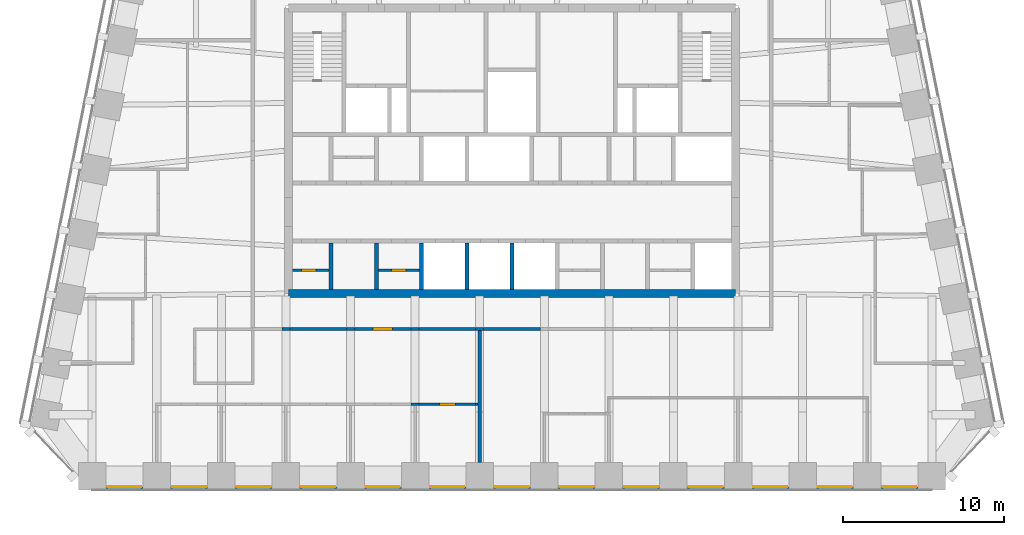
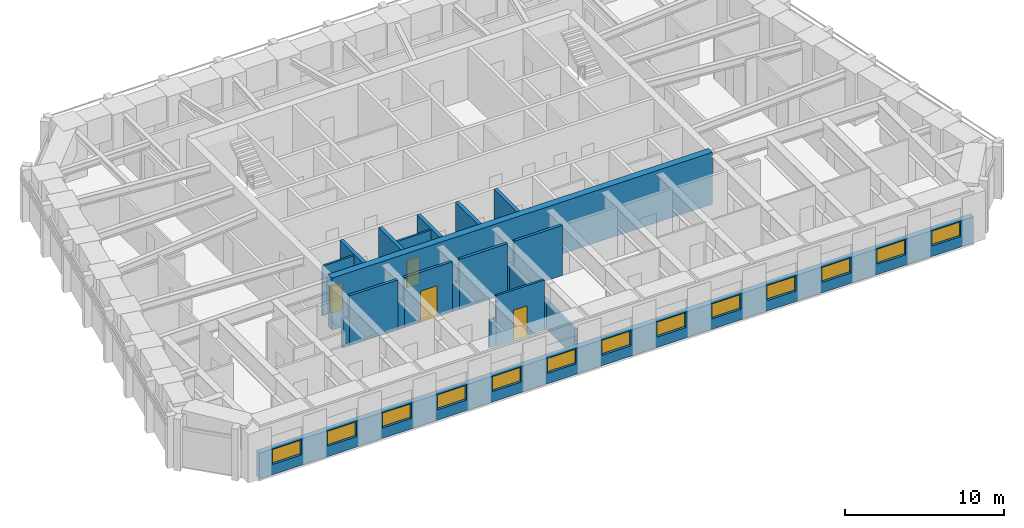
# One storey, part 5 of 12: 21 walls, 13 windows, 4 doors, 17 openings.
"""IFC4 building model written with IfcOpenShell, lengths in metres."""

from ifc_helpers import new_model, si_unit, direction, frame, frame_2d, origin, place, context, subcontext, project, spatial, rectangle, extrude, material, layer, layer_set, type_object, element, fill, save


model = new_model("IFC4")

# Units and contexts
model_context = context("Model", 3, precision=1e-05, world=origin(), true_north=direction((0.0, 1.0)))
body_context = subcontext(model_context, "Body", "Model", "MODEL_VIEW")
ifc_project = project(units=[si_unit("LENGTHUNIT", "METRE"), si_unit("AREAUNIT", "SQUARE_METRE"), si_unit("VOLUMEUNIT", "CUBIC_METRE"), si_unit("PLANEANGLEUNIT", "RADIAN"), si_unit("MASSUNIT", "GRAM", prefix="KILO")], contexts=[model_context])

# Site, building, storey
site_placement = place(None, origin())
site = spatial("IfcSite", under=ifc_project, at=site_placement, CompositionType="ELEMENT")
building_placement = place(site_placement, origin())
building = spatial("IfcBuilding", under=site, at=building_placement, Name="Isbrekke Arena Tower", CompositionType="ELEMENT")
storey_placement = place(building_placement, frame((0.0, 0.0, 292.0)))
storey = spatial("IfcBuildingStorey", under=building, at=storey_placement, Name="L68", CompositionType="ELEMENT", Elevation=292.0)

# Walls
ifc_material_1 = material(Name="Concrete B55 (C55/67)", Category="concrete")
ifc_layer_1 = layer(ifc_material_1, 0.5)
ifc_layer_set_1 = layer_set([ifc_layer_1], Name="CW5 CORE WALL 500")
wall_type_1 = type_object("IfcWallType", Name="CW5 CORE WALL 500", PredefinedType="SHEAR", material=ifc_layer_set_1)
wall_1_placement = place(storey_placement, frame((-13.85009765625, 6.14990234375, 0.0), z_axis=(0.0, 0.0, 1.0), x_axis=(1.0, 0.0, 0.0)))
element("IfcWall", 1, at=wall_1_placement, inside=storey, type_object=wall_type_1, Name="Core wall S L68", PredefinedType="SHEAR", context=body_context, shape_type="SweptSolid", body=[
    extrude(rectangle(XDim=27.7001953125, YDim=0.5, at=frame_2d((13.85009765625, 0.0))), origin(), (0.0, 0.0, 1.0), 4.0),
])
ifc_material_2 = material(Name="Concrete B45 (C45/55)", Category="concrete")
ifc_layer_2 = layer(ifc_material_2, 0.25)
ifc_layer_set_2 = layer_set([ifc_layer_2], Name="CW6 SHAFT WALL 250")
wall_type_2 = type_object("IfcWallType", Name="CW6 SHAFT WALL 250", PredefinedType="SHEAR", material=ifc_layer_set_2)
for number, where, z_axis, x_axis, name in (
    (2, (-11.199951171875, 6.39990234375, 0.0), (0.0, 0.0, 1.0), (0.0, 1.0, 0.0), "Core wall SS01 L68"),
    (3, (-8.39990234375, 6.39990234375, 0.0), (0.0, 0.0, 1.0), (0.0, 1.0, 0.0), "Core wall SS02 L68"),
    (4, (-5.60009765625, 6.39990234375, 0.0), (0.0, 0.0, 1.0), (0.0, 1.0, 0.0), "Core wall SS03 L68"),
    (5, (-2.800048828125, 6.39990234375, 0.0), (0.0, 0.0, 1.0), (0.0, 1.0, 0.0), "Core wall SS04 L68"),
    (6, (0.0, 6.39990234375, 0.0), (0.0, 0.0, 1.0), (0.0, 1.0, 0.0), "Core wall SS05 L68"),
):
    element("IfcWall", number, at=place(storey_placement, frame(where, z_axis=z_axis, x_axis=x_axis)), inside=storey, type_object=wall_type_2, Name=name, PredefinedType="SHEAR", context=body_context, shape_type="SweptSolid", body=[
        extrude(rectangle(XDim=2.875, YDim=0.25, at=frame_2d((1.4375, 0.0))), origin(), (0.0, 0.0, 1.0), 4.0),
    ])

# Wall, openings, windows
ifc_material_3 = material(Name="Copper cladding on insulated framing", Category="metal")
ifc_layer_3 = layer(ifc_material_3, 0.39990234375)
ifc_layer_set_3 = layer_set([ifc_layer_3], Name="EW2 COPPER-CLAD WALL 400")
wall_type_3 = type_object("IfcWallType", Name="EW2 COPPER-CLAD WALL 400", PredefinedType="SOLIDWALL", material=ifc_layer_set_3)
wall_2_placement = place(storey_placement, frame((-26.0, -5.800048828125, 0.0), z_axis=(0.0, 0.0, 1.0), x_axis=(1.0, 0.0, 0.0)))
wall_2 = element("IfcWall", 7, at=wall_2_placement, inside=storey, type_object=wall_type_3, Name="EW2 terrace wall L68", PredefinedType="SOLIDWALL", context=body_context, shape_type="SweptSolid", body=[
    extrude(rectangle(XDim=52.0, YDim=0.39990234375, at=frame_2d((26.0, 0.0))), origin(), (0.0, 0.0, 1.0), 2.0),
])
opening_1_placement = place(wall_2_placement, frame((0.949951171875, 0.0, 0.800048828125)))
opening_1 = element("IfcOpeningElement", 8, at=opening_1_placement, cuts=wall_2, Name="Opening WN1", PredefinedType="OPENING", context=body_context, shape_type="SweptSolid", body=[
    extrude(rectangle(XDim=2.10009765625, YDim=1.14990234375, at=frame_2d((1.050048828125, 0.574951171875))), frame((0.0, 0.21484375, 0.0), z_axis=(0.0, -1.0, 0.0), x_axis=(1.0, 0.0, 0.0)), (0.0, 0.0, 1.0), 0.4296875),
])
opening_2_placement = place(wall_2_placement, frame((4.949951171875, 0.0, 0.800048828125)))
opening_2 = element("IfcOpeningElement", 9, at=opening_2_placement, cuts=wall_2, Name="Opening WN1", PredefinedType="OPENING", context=body_context, shape_type="SweptSolid", body=[
    extrude(rectangle(XDim=2.10009765625, YDim=1.14990234375, at=frame_2d((1.050048828125, 0.574951171875))), frame((0.0, 0.21484375, 0.0), z_axis=(0.0, -1.0, 0.0), x_axis=(1.0, 0.0, 0.0)), (0.0, 0.0, 1.0), 0.4296875),
])
opening_3_placement = place(wall_2_placement, frame((8.949951171875, 0.0, 0.800048828125)))
opening_3 = element("IfcOpeningElement", 10, at=opening_3_placement, cuts=wall_2, Name="Opening WN1", PredefinedType="OPENING", context=body_context, shape_type="SweptSolid", body=[
    extrude(rectangle(XDim=2.10009765625, YDim=1.14990234375, at=frame_2d((1.050048828125, 0.574951171875))), frame((0.0, 0.21484375, 0.0), z_axis=(0.0, -1.0, 0.0), x_axis=(1.0, 0.0, 0.0)), (0.0, 0.0, 1.0), 0.4296875),
])
opening_4_placement = place(wall_2_placement, frame((12.949951171875, 0.0, 0.800048828125)))
opening_4 = element("IfcOpeningElement", 11, at=opening_4_placement, cuts=wall_2, Name="Opening WN1", PredefinedType="OPENING", context=body_context, shape_type="SweptSolid", body=[
    extrude(rectangle(XDim=2.10009765625, YDim=1.14990234375, at=frame_2d((1.050048828125, 0.574951171875))), frame((0.0, 0.21484375, 0.0), z_axis=(0.0, -1.0, 0.0), x_axis=(1.0, 0.0, 0.0)), (0.0, 0.0, 1.0), 0.4296875),
])
opening_5_placement = place(wall_2_placement, frame((16.949951171875, 0.0, 0.800048828125)))
opening_5 = element("IfcOpeningElement", 12, at=opening_5_placement, cuts=wall_2, Name="Opening WN1", PredefinedType="OPENING", context=body_context, shape_type="SweptSolid", body=[
    extrude(rectangle(XDim=2.10009765625, YDim=1.14990234375, at=frame_2d((1.050048828125, 0.574951171875))), frame((0.0, 0.21484375, 0.0), z_axis=(0.0, -1.0, 0.0), x_axis=(1.0, 0.0, 0.0)), (0.0, 0.0, 1.0), 0.4296875),
])
opening_6_placement = place(wall_2_placement, frame((20.949951171875, 0.0, 0.800048828125)))
opening_6 = element("IfcOpeningElement", 13, at=opening_6_placement, cuts=wall_2, Name="Opening WN1", PredefinedType="OPENING", context=body_context, shape_type="SweptSolid", body=[
    extrude(rectangle(XDim=2.10009765625, YDim=1.14990234375, at=frame_2d((1.050048828125, 0.574951171875))), frame((0.0, 0.21484375, 0.0), z_axis=(0.0, -1.0, 0.0), x_axis=(1.0, 0.0, 0.0)), (0.0, 0.0, 1.0), 0.4296875),
])
opening_7_placement = place(wall_2_placement, frame((24.949951171875, 0.0, 0.800048828125)))
opening_7 = element("IfcOpeningElement", 14, at=opening_7_placement, cuts=wall_2, Name="Opening WN1", PredefinedType="OPENING", context=body_context, shape_type="SweptSolid", body=[
    extrude(rectangle(XDim=2.10009765625, YDim=1.14990234375, at=frame_2d((1.050048828125, 0.574951171875))), frame((0.0, 0.21484375, 0.0), z_axis=(0.0, -1.0, 0.0), x_axis=(1.0, 0.0, 0.0)), (0.0, 0.0, 1.0), 0.4296875),
])
opening_8_placement = place(wall_2_placement, frame((28.949951171875, 0.0, 0.800048828125)))
opening_8 = element("IfcOpeningElement", 15, at=opening_8_placement, cuts=wall_2, Name="Opening WN1", PredefinedType="OPENING", context=body_context, shape_type="SweptSolid", body=[
    extrude(rectangle(XDim=2.10009765625, YDim=1.14990234375, at=frame_2d((1.050048828125, 0.574951171875))), frame((0.0, 0.21484375, 0.0), z_axis=(0.0, -1.0, 0.0), x_axis=(1.0, 0.0, 0.0)), (0.0, 0.0, 1.0), 0.4296875),
])
opening_9_placement = place(wall_2_placement, frame((32.949951171875, 0.0, 0.800048828125)))
opening_9 = element("IfcOpeningElement", 16, at=opening_9_placement, cuts=wall_2, Name="Opening WN1", PredefinedType="OPENING", context=body_context, shape_type="SweptSolid", body=[
    extrude(rectangle(XDim=2.10009765625, YDim=1.14990234375, at=frame_2d((1.050048828125, 0.574951171875))), frame((0.0, 0.21484375, 0.0), z_axis=(0.0, -1.0, 0.0), x_axis=(1.0, 0.0, 0.0)), (0.0, 0.0, 1.0), 0.4296875),
])
opening_10_placement = place(wall_2_placement, frame((36.949951171875, 0.0, 0.800048828125)))
opening_10 = element("IfcOpeningElement", 17, at=opening_10_placement, cuts=wall_2, Name="Opening WN1", PredefinedType="OPENING", context=body_context, shape_type="SweptSolid", body=[
    extrude(rectangle(XDim=2.10009765625, YDim=1.14990234375, at=frame_2d((1.050048828125, 0.574951171875))), frame((0.0, 0.21484375, 0.0), z_axis=(0.0, -1.0, 0.0), x_axis=(1.0, 0.0, 0.0)), (0.0, 0.0, 1.0), 0.4296875),
])
opening_11_placement = place(wall_2_placement, frame((40.949951171875, 0.0, 0.800048828125)))
opening_11 = element("IfcOpeningElement", 18, at=opening_11_placement, cuts=wall_2, Name="Opening WN1", PredefinedType="OPENING", context=body_context, shape_type="SweptSolid", body=[
    extrude(rectangle(XDim=2.10009765625, YDim=1.14990234375, at=frame_2d((1.050048828125, 0.574951171875))), frame((0.0, 0.21484375, 0.0), z_axis=(0.0, -1.0, 0.0), x_axis=(1.0, 0.0, 0.0)), (0.0, 0.0, 1.0), 0.4296875),
])
opening_12_placement = place(wall_2_placement, frame((44.949951171875, 0.0, 0.800048828125)))
opening_12 = element("IfcOpeningElement", 19, at=opening_12_placement, cuts=wall_2, Name="Opening WN1", PredefinedType="OPENING", context=body_context, shape_type="SweptSolid", body=[
    extrude(rectangle(XDim=2.10009765625, YDim=1.14990234375, at=frame_2d((1.050048828125, 0.574951171875))), frame((0.0, 0.21484375, 0.0), z_axis=(0.0, -1.0, 0.0), x_axis=(1.0, 0.0, 0.0)), (0.0, 0.0, 1.0), 0.4296875),
])
opening_13_placement = place(wall_2_placement, frame((48.949951171875, 0.0, 0.800048828125)))
opening_13 = element("IfcOpeningElement", 20, at=opening_13_placement, cuts=wall_2, Name="Opening WN1", PredefinedType="OPENING", context=body_context, shape_type="SweptSolid", body=[
    extrude(rectangle(XDim=2.10009765625, YDim=1.14990234375, at=frame_2d((1.050048828125, 0.574951171875))), frame((0.0, 0.21484375, 0.0), z_axis=(0.0, -1.0, 0.0), x_axis=(1.0, 0.0, 0.0)), (0.0, 0.0, 1.0), 0.4296875),
])
ifc_material_4 = material(Name="Timber-aluminium window, triple glazed", Category="wood")
window_type = type_object("IfcWindowType", Name="WN1 TERRACE WINDOW 2100 x 1150", PartitioningType="SINGLE_PANEL", PredefinedType="WINDOW", material=ifc_material_4)
window_1_placement = place(opening_1_placement, origin())
window_1 = element("IfcWindow", 21, at=window_1_placement, inside=storey, type_object=window_type, Name="WN1 terrace window L68-1", OverallHeight=1.14990234375, OverallWidth=2.10009765625, PartitioningType="SINGLE_PANEL", PredefinedType="WINDOW", context=body_context, shape_type="SweptSolid", body=[
    extrude(rectangle(XDim=2.10009765625, YDim=1.14990234375, at=frame_2d((1.050048828125, 0.574951171875))), frame((0.0, 0.030029296875, 0.0), z_axis=(0.0, -1.0, 0.0), x_axis=(1.0, 0.0, 0.0)), (0.0, 0.0, 1.0), 0.06005859375),
])
fill(opening_1, window_1)
window_2_placement = place(opening_2_placement, origin())
window_2 = element("IfcWindow", 22, at=window_2_placement, inside=storey, type_object=window_type, Name="WN1 terrace window L68-2", OverallHeight=1.14990234375, OverallWidth=2.10009765625, PartitioningType="SINGLE_PANEL", PredefinedType="WINDOW", context=body_context, shape_type="SweptSolid", body=[
    extrude(rectangle(XDim=2.10009765625, YDim=1.14990234375, at=frame_2d((1.050048828125, 0.574951171875))), frame((0.0, 0.030029296875, 0.0), z_axis=(0.0, -1.0, 0.0), x_axis=(1.0, 0.0, 0.0)), (0.0, 0.0, 1.0), 0.06005859375),
])
fill(opening_2, window_2)
window_3_placement = place(opening_3_placement, origin())
window_3 = element("IfcWindow", 23, at=window_3_placement, inside=storey, type_object=window_type, Name="WN1 terrace window L68-3", OverallHeight=1.14990234375, OverallWidth=2.10009765625, PartitioningType="SINGLE_PANEL", PredefinedType="WINDOW", context=body_context, shape_type="SweptSolid", body=[
    extrude(rectangle(XDim=2.10009765625, YDim=1.14990234375, at=frame_2d((1.050048828125, 0.574951171875))), frame((0.0, 0.030029296875, 0.0), z_axis=(0.0, -1.0, 0.0), x_axis=(1.0, 0.0, 0.0)), (0.0, 0.0, 1.0), 0.06005859375),
])
fill(opening_3, window_3)
window_4_placement = place(opening_4_placement, origin())
window_4 = element("IfcWindow", 24, at=window_4_placement, inside=storey, type_object=window_type, Name="WN1 terrace window L68-4", OverallHeight=1.14990234375, OverallWidth=2.10009765625, PartitioningType="SINGLE_PANEL", PredefinedType="WINDOW", context=body_context, shape_type="SweptSolid", body=[
    extrude(rectangle(XDim=2.10009765625, YDim=1.14990234375, at=frame_2d((1.050048828125, 0.574951171875))), frame((0.0, 0.030029296875, 0.0), z_axis=(0.0, -1.0, 0.0), x_axis=(1.0, 0.0, 0.0)), (0.0, 0.0, 1.0), 0.06005859375),
])
fill(opening_4, window_4)
window_5_placement = place(opening_5_placement, origin())
window_5 = element("IfcWindow", 25, at=window_5_placement, inside=storey, type_object=window_type, Name="WN1 terrace window L68-5", OverallHeight=1.14990234375, OverallWidth=2.10009765625, PartitioningType="SINGLE_PANEL", PredefinedType="WINDOW", context=body_context, shape_type="SweptSolid", body=[
    extrude(rectangle(XDim=2.10009765625, YDim=1.14990234375, at=frame_2d((1.050048828125, 0.574951171875))), frame((0.0, 0.030029296875, 0.0), z_axis=(0.0, -1.0, 0.0), x_axis=(1.0, 0.0, 0.0)), (0.0, 0.0, 1.0), 0.06005859375),
])
fill(opening_5, window_5)
window_6_placement = place(opening_6_placement, origin())
window_6 = element("IfcWindow", 26, at=window_6_placement, inside=storey, type_object=window_type, Name="WN1 terrace window L68-6", OverallHeight=1.14990234375, OverallWidth=2.10009765625, PartitioningType="SINGLE_PANEL", PredefinedType="WINDOW", context=body_context, shape_type="SweptSolid", body=[
    extrude(rectangle(XDim=2.10009765625, YDim=1.14990234375, at=frame_2d((1.050048828125, 0.574951171875))), frame((0.0, 0.030029296875, 0.0), z_axis=(0.0, -1.0, 0.0), x_axis=(1.0, 0.0, 0.0)), (0.0, 0.0, 1.0), 0.06005859375),
])
fill(opening_6, window_6)
window_7_placement = place(opening_7_placement, origin())
window_7 = element("IfcWindow", 27, at=window_7_placement, inside=storey, type_object=window_type, Name="WN1 terrace window L68-7", OverallHeight=1.14990234375, OverallWidth=2.10009765625, PartitioningType="SINGLE_PANEL", PredefinedType="WINDOW", context=body_context, shape_type="SweptSolid", body=[
    extrude(rectangle(XDim=2.10009765625, YDim=1.14990234375, at=frame_2d((1.050048828125, 0.574951171875))), frame((0.0, 0.030029296875, 0.0), z_axis=(0.0, -1.0, 0.0), x_axis=(1.0, 0.0, 0.0)), (0.0, 0.0, 1.0), 0.06005859375),
])
fill(opening_7, window_7)
window_8_placement = place(opening_8_placement, origin())
window_8 = element("IfcWindow", 28, at=window_8_placement, inside=storey, type_object=window_type, Name="WN1 terrace window L68-8", OverallHeight=1.14990234375, OverallWidth=2.10009765625, PartitioningType="SINGLE_PANEL", PredefinedType="WINDOW", context=body_context, shape_type="SweptSolid", body=[
    extrude(rectangle(XDim=2.10009765625, YDim=1.14990234375, at=frame_2d((1.050048828125, 0.574951171875))), frame((0.0, 0.030029296875, 0.0), z_axis=(0.0, -1.0, 0.0), x_axis=(1.0, 0.0, 0.0)), (0.0, 0.0, 1.0), 0.06005859375),
])
fill(opening_8, window_8)
window_9_placement = place(opening_9_placement, origin())
window_9 = element("IfcWindow", 29, at=window_9_placement, inside=storey, type_object=window_type, Name="WN1 terrace window L68-9", OverallHeight=1.14990234375, OverallWidth=2.10009765625, PartitioningType="SINGLE_PANEL", PredefinedType="WINDOW", context=body_context, shape_type="SweptSolid", body=[
    extrude(rectangle(XDim=2.10009765625, YDim=1.14990234375, at=frame_2d((1.050048828125, 0.574951171875))), frame((0.0, 0.030029296875, 0.0), z_axis=(0.0, -1.0, 0.0), x_axis=(1.0, 0.0, 0.0)), (0.0, 0.0, 1.0), 0.06005859375),
])
fill(opening_9, window_9)
window_10_placement = place(opening_10_placement, origin())
window_10 = element("IfcWindow", 30, at=window_10_placement, inside=storey, type_object=window_type, Name="WN1 terrace window L68-10", OverallHeight=1.14990234375, OverallWidth=2.10009765625, PartitioningType="SINGLE_PANEL", PredefinedType="WINDOW", context=body_context, shape_type="SweptSolid", body=[
    extrude(rectangle(XDim=2.10009765625, YDim=1.14990234375, at=frame_2d((1.050048828125, 0.574951171875))), frame((0.0, 0.030029296875, 0.0), z_axis=(0.0, -1.0, 0.0), x_axis=(1.0, 0.0, 0.0)), (0.0, 0.0, 1.0), 0.06005859375),
])
fill(opening_10, window_10)
window_11_placement = place(opening_11_placement, origin())
window_11 = element("IfcWindow", 31, at=window_11_placement, inside=storey, type_object=window_type, Name="WN1 terrace window L68-11", OverallHeight=1.14990234375, OverallWidth=2.10009765625, PartitioningType="SINGLE_PANEL", PredefinedType="WINDOW", context=body_context, shape_type="SweptSolid", body=[
    extrude(rectangle(XDim=2.10009765625, YDim=1.14990234375, at=frame_2d((1.050048828125, 0.574951171875))), frame((0.0, 0.030029296875, 0.0), z_axis=(0.0, -1.0, 0.0), x_axis=(1.0, 0.0, 0.0)), (0.0, 0.0, 1.0), 0.06005859375),
])
fill(opening_11, window_11)
window_12_placement = place(opening_12_placement, origin())
window_12 = element("IfcWindow", 32, at=window_12_placement, inside=storey, type_object=window_type, Name="WN1 terrace window L68-12", OverallHeight=1.14990234375, OverallWidth=2.10009765625, PartitioningType="SINGLE_PANEL", PredefinedType="WINDOW", context=body_context, shape_type="SweptSolid", body=[
    extrude(rectangle(XDim=2.10009765625, YDim=1.14990234375, at=frame_2d((1.050048828125, 0.574951171875))), frame((0.0, 0.030029296875, 0.0), z_axis=(0.0, -1.0, 0.0), x_axis=(1.0, 0.0, 0.0)), (0.0, 0.0, 1.0), 0.06005859375),
])
fill(opening_12, window_12)
window_13_placement = place(opening_13_placement, origin())
window_13 = element("IfcWindow", 33, at=window_13_placement, inside=storey, type_object=window_type, Name="WN1 terrace window L68-13", OverallHeight=1.14990234375, OverallWidth=2.10009765625, PartitioningType="SINGLE_PANEL", PredefinedType="WINDOW", context=body_context, shape_type="SweptSolid", body=[
    extrude(rectangle(XDim=2.10009765625, YDim=1.14990234375, at=frame_2d((1.050048828125, 0.574951171875))), frame((0.0, 0.030029296875, 0.0), z_axis=(0.0, -1.0, 0.0), x_axis=(1.0, 0.0, 0.0)), (0.0, 0.0, 1.0), 0.06005859375),
])
fill(opening_13, window_13)

# Wall
ifc_material_5 = material(Name="Gypsum board partition on steel studs", Category="steel")
ifc_layer_4 = layer(ifc_material_5, 0.14990234375)
ifc_layer_set_4 = layer_set([ifc_layer_4], Name="IW1 PARTITION 150")
wall_type_4 = type_object("IfcWallType", Name="IW1 PARTITION 150", PredefinedType="PARTITIONING", material=ifc_layer_set_4)
wall_3_placement = place(storey_placement, frame((-6.25, -0.699951171875, 0.0), z_axis=(0.0, 0.0, 1.0), x_axis=(1.0, 0.0, 0.0)))
element("IfcWall", 34, at=wall_3_placement, inside=storey, type_object=wall_type_4, Name="IW1 partition 150 L68", PredefinedType="PARTITIONING", context=body_context, shape_type="SweptSolid", body=[
    extrude(rectangle(XDim=0.5, YDim=0.14990234375, at=frame_2d((0.25, 0.0))), origin(), (0.0, 0.0, 1.0), 2.14990234375),
])

# Wall, opening, door
wall_4_placement = place(storey_placement, frame((-5.75, -0.699951171875, 0.0), z_axis=(0.0, 0.0, 1.0), x_axis=(1.0, 0.0, 0.0)))
wall_4 = element("IfcWall", 35, at=wall_4_placement, inside=storey, type_object=wall_type_4, Name="IW1 partition 150 L68", PredefinedType="PARTITIONING", context=body_context, shape_type="SweptSolid", body=[
    extrude(rectangle(XDim=3.5, YDim=0.14990234375, at=frame_2d((1.75, 0.0))), origin(), (0.0, 0.0, 1.0), 3.85009765625),
])
opening_14_placement = place(wall_4_placement, frame((1.25, 0.0, 0.0)))
opening_14 = element("IfcOpeningElement", 36, at=opening_14_placement, cuts=wall_4, Name="Opening D10", PredefinedType="OPENING", context=body_context, shape_type="SweptSolid", body=[
    extrude(rectangle(XDim=1.0, YDim=2.300048828125, at=frame_2d((0.5, 1.14990234375))), frame((0.0, 0.08984375, 0.0), z_axis=(0.0, -1.0, 0.0), x_axis=(1.0, 0.0, 0.0)), (0.0, 0.0, 1.0), 0.1796875),
])
ifc_material_6 = material(Name="Timber door", Category="wood")
door_type_1 = type_object("IfcDoorType", Name="D10 OFFICE DOOR 1000 x 2300", OperationType="SINGLE_SWING_LEFT", PredefinedType="DOOR", material=ifc_material_6)
door_1_placement = place(opening_14_placement, origin())
door_1 = element("IfcDoor", 37, at=door_1_placement, inside=storey, type_object=door_type_1, Name="D10 office door L68", OperationType="SINGLE_SWING_LEFT", OverallHeight=2.300048828125, OverallWidth=1.0, PredefinedType="DOOR", context=body_context, shape_type="SweptSolid", body=[
    extrude(rectangle(XDim=1.0, YDim=2.300048828125, at=frame_2d((0.5, 1.14990234375))), frame((0.0, 0.07470703125, 0.0), z_axis=(0.0, -1.0, 0.0), x_axis=(1.0, 0.0, 0.0)), (0.0, 0.0, 1.0), 0.1494140625),
])
fill(opening_14, door_1)

# Walls
wall_5_placement = place(storey_placement, frame((-2.25, -0.699951171875, 0.0), z_axis=(0.0, 0.0, 1.0), x_axis=(1.0, 0.0, 0.0)))
element("IfcWall", 38, at=wall_5_placement, inside=storey, type_object=wall_type_4, Name="IW1 partition 150 L68", PredefinedType="PARTITIONING", context=body_context, shape_type="SweptSolid", body=[
    extrude(rectangle(XDim=0.14990234375, YDim=0.14990234375, at=frame_2d((0.074951171875, 0.0))), origin(), (0.0, 0.0, 1.0), 2.14990234375),
])
ifc_material_7 = material(Name="Gypsum board fire-cell wall on steel studs, two layers each side", Category="steel")
ifc_layer_5 = layer(ifc_material_7, 0.199951171875)
ifc_layer_set_5 = layer_set([ifc_layer_5], Name="IW3 FIRE-CELL WALL 200")
wall_type_5 = type_object("IfcWallType", Name="IW3 FIRE-CELL WALL 200", PredefinedType="PARTITIONING", material=ifc_layer_set_5)
wall_6_placement = place(storey_placement, frame((-14.25, 3.949951171875, 0.0), z_axis=(0.0, 0.0, 1.0), x_axis=(1.0, 0.0, 0.0)))
element("IfcWall", 39, at=wall_6_placement, inside=storey, type_object=wall_type_5, Name="IW3 fire-cell wall 200 L68", PredefinedType="PARTITIONING", context=body_context, shape_type="SweptSolid", body=[
    extrude(rectangle(XDim=0.5, YDim=0.199951171875, at=frame_2d((0.25, 0.0))), origin(), (0.0, 0.0, 1.0), 2.14990234375),
])
wall_7_placement = place(storey_placement, frame((-13.75, 3.949951171875, 0.0), z_axis=(0.0, 0.0, 1.0), x_axis=(1.0, 0.0, 0.0)))
element("IfcWall", 40, at=wall_7_placement, inside=storey, type_object=wall_type_5, Name="IW3 fire-cell wall 200 L68", PredefinedType="PARTITIONING", context=body_context, shape_type="SweptSolid", body=[
    extrude(rectangle(XDim=3.5, YDim=0.199951171875, at=frame_2d((1.75, 0.0))), origin(), (0.0, 0.0, 1.0), 3.85009765625),
])
wall_8_placement = place(storey_placement, frame((-10.25, 3.949951171875, 0.0), z_axis=(0.0, 0.0, 1.0), x_axis=(1.0, 0.0, 0.0)))
element("IfcWall", 41, at=wall_8_placement, inside=storey, type_object=wall_type_5, Name="IW3 fire-cell wall 200 L68", PredefinedType="PARTITIONING", context=body_context, shape_type="SweptSolid", body=[
    extrude(rectangle(XDim=0.5, YDim=0.199951171875, at=frame_2d((0.25, 0.0))), origin(), (0.0, 0.0, 1.0), 2.14990234375),
])

# Wall, opening, door
wall_9_placement = place(storey_placement, frame((-9.75, 3.949951171875, 0.0), z_axis=(0.0, 0.0, 1.0), x_axis=(1.0, 0.0, 0.0)))
wall_9 = element("IfcWall", 42, at=wall_9_placement, inside=storey, type_object=wall_type_5, Name="IW3 fire-cell wall 200 L68", PredefinedType="PARTITIONING", context=body_context, shape_type="SweptSolid", body=[
    extrude(rectangle(XDim=3.5, YDim=0.199951171875, at=frame_2d((1.75, 0.0))), origin(), (0.0, 0.0, 1.0), 3.85009765625),
])
opening_15_placement = place(wall_9_placement, frame((1.14990234375, 0.0, 0.0)))
opening_15 = element("IfcOpeningElement", 43, at=opening_15_placement, cuts=wall_9, Name="Opening D12", PredefinedType="OPENING", context=body_context, shape_type="SweptSolid", body=[
    extrude(rectangle(XDim=1.199951171875, YDim=2.39990234375, at=frame_2d((0.60009765625, 1.199951171875))), frame((0.0, 0.11474609375, 0.0), z_axis=(0.0, -1.0, 0.0), x_axis=(1.0, 0.0, 0.0)), (0.0, 0.0, 1.0), 0.229736328125),
])
ifc_material_8 = material(Name="Timber fire door with vision panel", Category="wood")
door_type_2 = type_object("IfcDoorType", Name="D12 SUITE ENTRANCE DOOR 1200 x 2400", OperationType="SINGLE_SWING_LEFT", PredefinedType="DOOR", material=ifc_material_8)
door_2_placement = place(opening_15_placement, origin())
door_2 = element("IfcDoor", 44, at=door_2_placement, inside=storey, type_object=door_type_2, Name="D12 suite entrance W door L68", OperationType="SINGLE_SWING_LEFT", OverallHeight=2.39990234375, OverallWidth=1.199951171875, PredefinedType="DOOR", context=body_context, shape_type="SweptSolid", body=[
    extrude(rectangle(XDim=1.199951171875, YDim=2.39990234375, at=frame_2d((0.60009765625, 1.199951171875))), frame((0.0, 0.099609375, 0.0), z_axis=(0.0, -1.0, 0.0), x_axis=(1.0, 0.0, 0.0)), (0.0, 0.0, 1.0), 0.199462890625),
])
fill(opening_15, door_2)

# Walls
wall_10_placement = place(storey_placement, frame((-6.25, 3.949951171875, 0.0), z_axis=(0.0, 0.0, 1.0), x_axis=(1.0, 0.0, 0.0)))
element("IfcWall", 45, at=wall_10_placement, inside=storey, type_object=wall_type_5, Name="IW3 fire-cell wall 200 L68", PredefinedType="PARTITIONING", context=body_context, shape_type="SweptSolid", body=[
    extrude(rectangle(XDim=0.5, YDim=0.199951171875, at=frame_2d((0.25, 0.0))), origin(), (0.0, 0.0, 1.0), 2.14990234375),
])
wall_11_placement = place(storey_placement, frame((-5.75, 3.949951171875, 0.0), z_axis=(0.0, 0.0, 1.0), x_axis=(1.0, 0.0, 0.0)))
element("IfcWall", 46, at=wall_11_placement, inside=storey, type_object=wall_type_5, Name="IW3 fire-cell wall 200 L68", PredefinedType="PARTITIONING", context=body_context, shape_type="SweptSolid", body=[
    extrude(rectangle(XDim=3.5, YDim=0.199951171875, at=frame_2d((1.75, 0.0))), origin(), (0.0, 0.0, 1.0), 3.85009765625),
])
wall_12_placement = place(storey_placement, frame((-2.25, 3.949951171875, 0.0), z_axis=(0.0, 0.0, 1.0), x_axis=(1.0, 0.0, 0.0)))
element("IfcWall", 47, at=wall_12_placement, inside=storey, type_object=wall_type_5, Name="IW3 fire-cell wall 200 L68", PredefinedType="PARTITIONING", context=body_context, shape_type="SweptSolid", body=[
    extrude(rectangle(XDim=0.5, YDim=0.199951171875, at=frame_2d((0.25, 0.0))), origin(), (0.0, 0.0, 1.0), 2.14990234375),
])
wall_13_placement = place(storey_placement, frame((-1.75, 3.949951171875, 0.0), z_axis=(0.0, 0.0, 1.0), x_axis=(1.0, 0.0, 0.0)))
element("IfcWall", 48, at=wall_13_placement, inside=storey, type_object=wall_type_5, Name="IW3 fire-cell wall 200 L68", PredefinedType="PARTITIONING", context=body_context, shape_type="SweptSolid", body=[
    extrude(rectangle(XDim=3.5, YDim=0.199951171875, at=frame_2d((1.75, 0.0))), origin(), (0.0, 0.0, 1.0), 3.85009765625),
])
wall_14_placement = place(storey_placement, frame((-2.0, -4.324951171875, 0.0), z_axis=(0.0, 0.0, 1.0), x_axis=(0.0, 1.0, 0.0)))
element("IfcWall", 49, at=wall_14_placement, inside=storey, type_object=wall_type_5, Name="IW3 fire-cell wall 200 L68", PredefinedType="PARTITIONING", context=body_context, shape_type="SweptSolid", body=[
    extrude(rectangle(XDim=8.175048828125, YDim=0.199951171875, at=frame_2d((4.08740234375, 0.0))), origin(), (0.0, 0.0, 1.0), 2.14990234375),
])

# Wall, opening, door
ifc_material_9 = material(Name="Gypsum board fire-rated partition on steel studs, two layers each side", Category="steel")
ifc_layer_6 = layer(ifc_material_9, 0.14990234375)
ifc_layer_set_6 = layer_set([ifc_layer_6], Name="IW5 FIRE-RATED PARTITION 150")
wall_type_6 = type_object("IfcWallType", Name="IW5 FIRE-RATED PARTITION 150", PredefinedType="PARTITIONING", material=ifc_layer_set_6)
wall_15_placement = place(storey_placement, frame((-13.60009765625, 7.60009765625, 0.0), z_axis=(0.0, 0.0, 1.0), x_axis=(1.0, 0.0, 0.0)))
wall_15 = element("IfcWall", 50, at=wall_15_placement, inside=storey, type_object=wall_type_6, Name="IW5 fire-rated partition L68 core service rooms 4", PredefinedType="PARTITIONING", context=body_context, shape_type="SweptSolid", body=[
    extrude(rectangle(XDim=2.275146484375, YDim=0.14990234375, at=frame_2d((1.1376953125, 0.0))), origin(), (0.0, 0.0, 1.0), 3.85009765625),
])
opening_16_placement = place(wall_15_placement, frame((0.550048828125, 0.0, 0.0)))
opening_16 = element("IfcOpeningElement", 51, at=opening_16_placement, cuts=wall_15, Name="Opening D5", PredefinedType="OPENING", context=body_context, shape_type="SweptSolid", body=[
    extrude(rectangle(XDim=0.89990234375, YDim=2.10009765625, at=frame_2d((0.449951171875, 1.050048828125))), frame((0.0, 0.08984375, 0.0), z_axis=(0.0, -1.0, 0.0), x_axis=(1.0, 0.0, 0.0)), (0.0, 0.0, 1.0), 0.1796875),
])
ifc_material_10 = material(Name="Steel fire door", Category="steel")
door_type_3 = type_object("IfcDoorType", Name="D5 SERVICE DOOR 900 x 2100", OperationType="SINGLE_SWING_LEFT", PredefinedType="DOOR", material=ifc_material_10)
door_3_placement = place(opening_16_placement, origin())
door_3 = element("IfcDoor", 52, at=door_3_placement, inside=storey, type_object=door_type_3, Name="D5 store door L68", OperationType="SINGLE_SWING_LEFT", OverallHeight=2.10009765625, OverallWidth=0.89990234375, PredefinedType="DOOR", context=body_context, shape_type="SweptSolid", body=[
    extrude(rectangle(XDim=0.89990234375, YDim=2.10009765625, at=frame_2d((0.449951171875, 1.050048828125))), frame((0.0, 0.07470703125, 0.0), z_axis=(0.0, -1.0, 0.0), x_axis=(1.0, 0.0, 0.0)), (0.0, 0.0, 1.0), 0.1494140625),
])
fill(opening_16, door_3)

wall_16_placement = place(storey_placement, frame((-8.27490234375, 7.60009765625, 0.0), z_axis=(0.0, 0.0, 1.0), x_axis=(1.0, 0.0, 0.0)))
wall_16 = element("IfcWall", 53, at=wall_16_placement, inside=storey, type_object=wall_type_6, Name="IW5 fire-rated partition L68 core service rooms 5", PredefinedType="PARTITIONING", context=body_context, shape_type="SweptSolid", body=[
    extrude(rectangle(XDim=2.5498046875, YDim=0.14990234375, at=frame_2d((1.27490234375, 0.0))), origin(), (0.0, 0.0, 1.0), 3.85009765625),
])
opening_17_placement = place(wall_16_placement, frame((0.824951171875, 0.0, 0.0)))
opening_17 = element("IfcOpeningElement", 54, at=opening_17_placement, cuts=wall_16, Name="Opening D5", PredefinedType="OPENING", context=body_context, shape_type="SweptSolid", body=[
    extrude(rectangle(XDim=0.89990234375, YDim=2.10009765625, at=frame_2d((0.449951171875, 1.050048828125))), frame((0.0, 0.08984375, 0.0), z_axis=(0.0, -1.0, 0.0), x_axis=(1.0, 0.0, 0.0)), (0.0, 0.0, 1.0), 0.1796875),
])
door_4_placement = place(opening_17_placement, origin())
door_4 = element("IfcDoor", 55, at=door_4_placement, inside=storey, type_object=door_type_3, Name="D5 archive door L68", OperationType="SINGLE_SWING_LEFT", OverallHeight=2.10009765625, OverallWidth=0.89990234375, PredefinedType="DOOR", context=body_context, shape_type="SweptSolid", body=[
    extrude(rectangle(XDim=0.89990234375, YDim=2.10009765625, at=frame_2d((0.449951171875, 1.050048828125))), frame((0.0, 0.07470703125, 0.0), z_axis=(0.0, -1.0, 0.0), x_axis=(1.0, 0.0, 0.0)), (0.0, 0.0, 1.0), 0.1494140625),
])
fill(opening_17, door_4)

save(model, "model.ifc")
